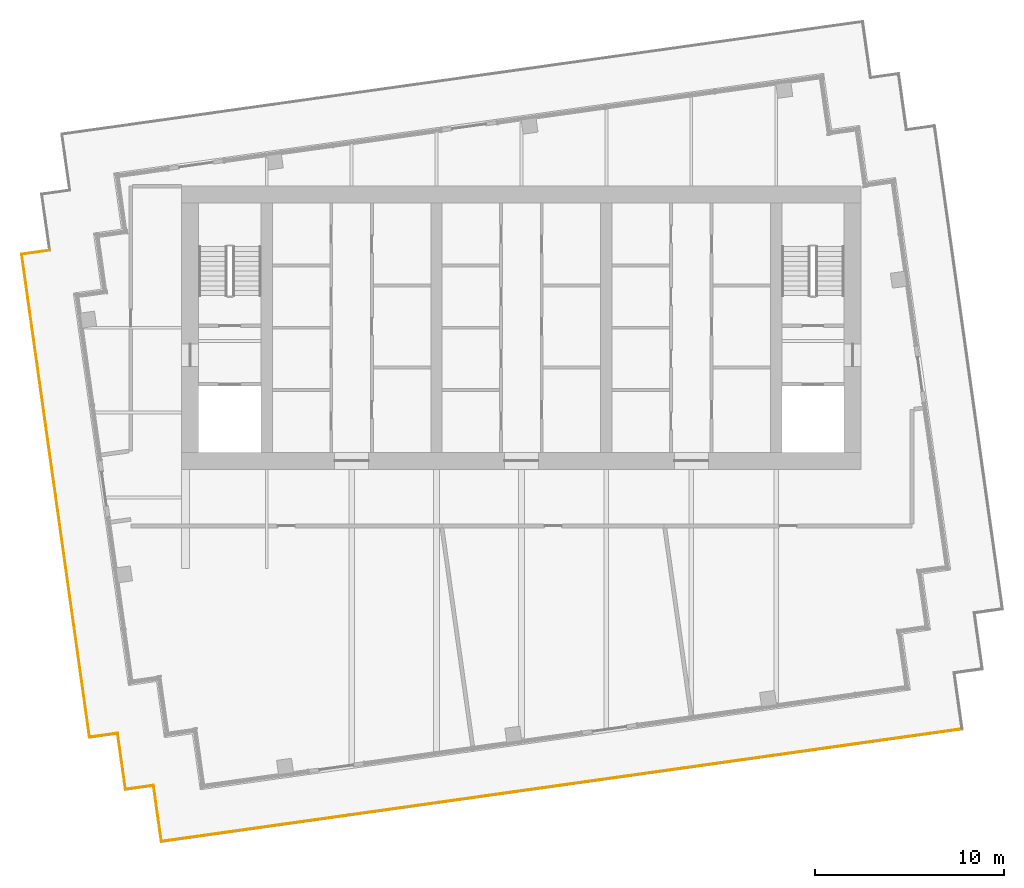
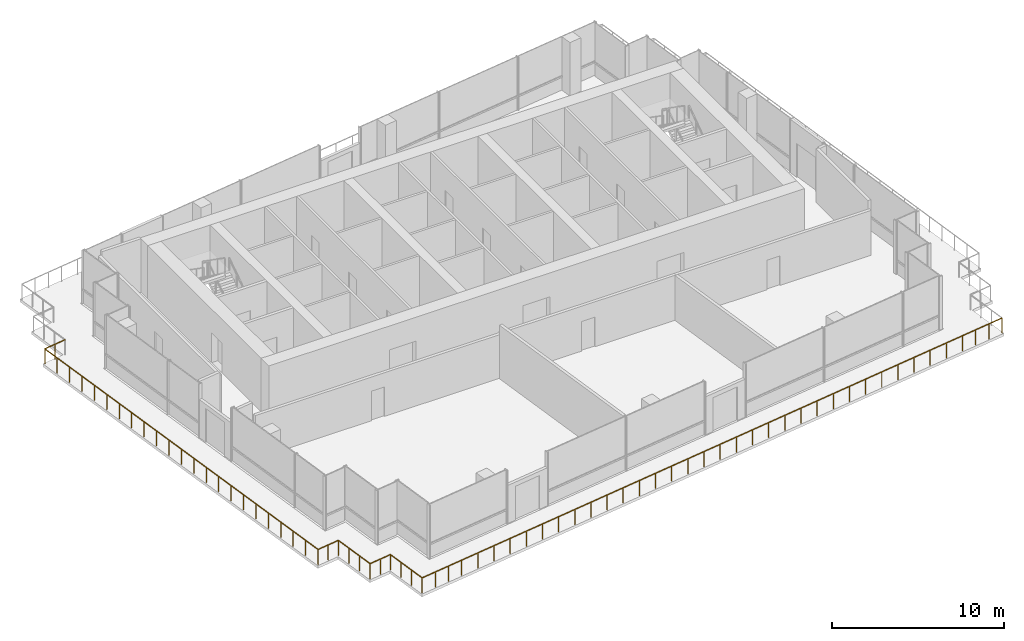
# One storey, part 9 of 12: 8 railings.
"""IFC4 building model written with IfcOpenShell, lengths in metres."""

from ifc_helpers import new_model, si_unit, direction, frame, origin, origin_2d, place, context, subcontext, project, spatial, rectangle, extrude, material, type_object, element, save


model = new_model("IFC4")

# Units and contexts
model_context = context("Model", 3, precision=1e-05, world=origin(), true_north=direction((0.0, 1.0)))
body_context = subcontext(model_context, "Body", "Model", "MODEL_VIEW")
ifc_project = project(units=[si_unit("LENGTHUNIT", "METRE"), si_unit("AREAUNIT", "SQUARE_METRE"), si_unit("VOLUMEUNIT", "CUBIC_METRE"), si_unit("PLANEANGLEUNIT", "RADIAN"), si_unit("MASSUNIT", "GRAM", prefix="KILO")], contexts=[model_context])

# Site, building, storey
site_placement = place(None, origin())
site = spatial("IfcSite", under=ifc_project, at=site_placement, CompositionType="ELEMENT")
building_placement = place(site_placement, origin())
building = spatial("IfcBuilding", under=site, at=building_placement, Name="Rattan Terrace Tower", CompositionType="ELEMENT")
storey_placement = place(building_placement, frame((0.0, 0.0, 292.300048828125)))
storey = spatial("IfcBuildingStorey", under=building, at=storey_placement, Name="C01", CompositionType="ELEMENT", Elevation=292.300048828125)

# Railings
ifc_material = material(Name="Stainless steel 316", Category="steel")
railing_type = type_object("IfcRailingType", Name="Facade Guard 1100", PredefinedType="GUARDRAIL", material=ifc_material)
railing_1_placement = place(storey_placement, frame((-16.18701171875, -26.81103515625, 0.0)))
element("IfcRailing", 1, at=railing_1_placement, inside=storey, type_object=railing_type, Name="Terrace guard C01-1-1", PredefinedType="GUARDRAIL", context=body_context, shape_type="SweptSolid", body=[
    extrude(rectangle(XDim=0.048095703125, YDim=0.048095703125, at=origin_2d()), frame((0.0, 0.0, 1.076171875), z_axis=(-0.990281250303, -0.139079277025, 0.0), x_axis=(0.139079277025, -0.990281250303, 0.0)), (0.0, 0.0, 1.0), 2.919189453125),
    extrude(rectangle(XDim=0.0419921875, YDim=0.0419921875, at=origin_2d()), origin(), (0.0, 0.0, 1.0), 1.052001953125),
    extrude(rectangle(XDim=0.0419921875, YDim=0.0419921875, at=origin_2d()), frame((-0.963623046875, -0.13525390625, 0.0)), (0.0, 0.0, 1.0), 1.052001953125),
    extrude(rectangle(XDim=0.0419921875, YDim=0.0419921875, at=origin_2d()), frame((-1.92724609375, -0.270751953125, 0.0)), (0.0, 0.0, 1.0), 1.052001953125),
])
railing_2_placement = place(storey_placement, frame((-19.077880859375, -27.217041015625, 0.0)))
element("IfcRailing", 2, at=railing_2_placement, inside=storey, type_object=railing_type, Name="Terrace guard C01-1-2", PredefinedType="GUARDRAIL", context=body_context, shape_type="SweptSolid", body=[
    extrude(rectangle(XDim=0.048095703125, YDim=0.048095703125, at=origin_2d()), frame((0.0, 0.0, 1.076171875), z_axis=(-0.139438168976, 0.990230779683, 0.0), x_axis=(-0.990230779683, -0.139438168976, 0.0)), (0.0, 0.0, 1.0), 2.999267578125),
    extrude(rectangle(XDim=0.0419921875, YDim=0.0419921875, at=origin_2d()), origin(), (0.0, 0.0, 1.0), 1.052001953125),
    extrude(rectangle(XDim=0.0419921875, YDim=0.0419921875, at=origin_2d()), frame((-0.139404296875, 0.989990234375, 0.0)), (0.0, 0.0, 1.0), 1.052001953125),
    extrude(rectangle(XDim=0.0419921875, YDim=0.0419921875, at=origin_2d()), frame((-0.27880859375, 1.97998046875, 0.0)), (0.0, 0.0, 1.0), 1.052001953125),
])
railing_3_placement = place(storey_placement, frame((-19.49609375, -24.2470703125, 0.0)))
element("IfcRailing", 3, at=railing_3_placement, inside=storey, type_object=railing_type, Name="Terrace guard C01-1-3", PredefinedType="GUARDRAIL", context=body_context, shape_type="SweptSolid", body=[
    extrude(rectangle(XDim=0.048095703125, YDim=0.048095703125, at=origin_2d()), frame((0.0, 0.0, 1.076171875), z_axis=(-0.990330117064, -0.138730887823, 0.0), x_axis=(0.138730887823, -0.990330117064, 0.0)), (0.0, 0.0, 1.0), 1.499267578125),
    extrude(rectangle(XDim=0.0419921875, YDim=0.0419921875, at=origin_2d()), origin(), (0.0, 0.0, 1.0), 1.052001953125),
    extrude(rectangle(XDim=0.0419921875, YDim=0.0419921875, at=origin_2d()), frame((-0.742431640625, -0.10400390625, 0.0)), (0.0, 0.0, 1.0), 1.052001953125),
])
railing_4_placement = place(storey_placement, frame((-20.98095703125, -24.455078125, 0.0)))
element("IfcRailing", 4, at=railing_4_placement, inside=storey, type_object=railing_type, Name="Terrace guard C01-1-4", PredefinedType="GUARDRAIL", context=body_context, shape_type="SweptSolid", body=[
    extrude(rectangle(XDim=0.048095703125, YDim=0.048095703125, at=origin_2d()), frame((0.0, 0.0, 1.076171875), z_axis=(-0.139302206688, 0.990249915532, 0.0), x_axis=(-0.990249915532, -0.139302206688, 0.0)), (0.0, 0.0, 1.0), 3.00048828125),
    extrude(rectangle(XDim=0.0419921875, YDim=0.0419921875, at=origin_2d()), origin(), (0.0, 0.0, 1.0), 1.052001953125),
    extrude(rectangle(XDim=0.0419921875, YDim=0.0419921875, at=origin_2d()), frame((-0.139404296875, 0.990478515625, 0.0)), (0.0, 0.0, 1.0), 1.052001953125),
    extrude(rectangle(XDim=0.0419921875, YDim=0.0419921875, at=origin_2d()), frame((-0.278564453125, 1.980712890625, 0.0)), (0.0, 0.0, 1.0), 1.052001953125),
])
railing_5_placement = place(storey_placement, frame((-21.39892578125, -21.48388671875, 0.0)))
element("IfcRailing", 5, at=railing_5_placement, inside=storey, type_object=railing_type, Name="Terrace guard C01-1-5", PredefinedType="GUARDRAIL", context=body_context, shape_type="SweptSolid", body=[
    extrude(rectangle(XDim=0.048095703125, YDim=0.048095703125, at=origin_2d()), frame((0.0, 0.0, 1.076171875), z_axis=(-0.990221121476, -0.139506740277, 0.0), x_axis=(0.139506740277, -0.990221121476, 0.0)), (0.0, 0.0, 1.0), 1.499755859375),
    extrude(rectangle(XDim=0.0419921875, YDim=0.0419921875, at=origin_2d()), origin(), (0.0, 0.0, 1.0), 1.052001953125),
    extrude(rectangle(XDim=0.0419921875, YDim=0.0419921875, at=origin_2d()), frame((-0.74267578125, -0.1044921875, 0.0)), (0.0, 0.0, 1.0), 1.052001953125),
])
railing_6_placement = place(storey_placement, frame((-22.884033203125, -21.693115234375, 0.0)))
element("IfcRailing", 6, at=railing_6_placement, inside=storey, type_object=railing_type, Name="Terrace guard C01-1-6", PredefinedType="GUARDRAIL", context=body_context, shape_type="SweptSolid", body=[
    extrude(rectangle(XDim=0.048095703125, YDim=0.048095703125, at=origin_2d()), frame((0.0, 0.0, 1.076171875), z_axis=(-0.139196202933, 0.990264821696, 0.0), x_axis=(-0.990264821696, -0.139196202933, 0.0)), (0.0, 0.0, 1.0), 25.840576171875),
    extrude(rectangle(XDim=0.0419921875, YDim=0.0419921875, at=origin_2d()), origin(), (0.0, 0.0, 1.0), 1.052001953125),
    extrude(rectangle(XDim=0.0419921875, YDim=0.0419921875, at=origin_2d()), frame((-0.16357421875, 1.1630859375, 0.0)), (0.0, 0.0, 1.0), 1.052001953125),
    extrude(rectangle(XDim=0.0419921875, YDim=0.0419921875, at=origin_2d()), frame((-0.326904296875, 2.326171875, 0.0)), (0.0, 0.0, 1.0), 1.052001953125),
    extrude(rectangle(XDim=0.0419921875, YDim=0.0419921875, at=origin_2d()), frame((-0.490478515625, 3.489501953125, 0.0)), (0.0, 0.0, 1.0), 1.052001953125),
    extrude(rectangle(XDim=0.0419921875, YDim=0.0419921875, at=origin_2d()), frame((-0.654052734375, 4.652587890625, 0.0)), (0.0, 0.0, 1.0), 1.052001953125),
    extrude(rectangle(XDim=0.0419921875, YDim=0.0419921875, at=origin_2d()), frame((-0.8173828125, 5.815673828125, 0.0)), (0.0, 0.0, 1.0), 1.052001953125),
    extrude(rectangle(XDim=0.0419921875, YDim=0.0419921875, at=origin_2d()), frame((-0.98095703125, 6.978759765625, 0.0)), (0.0, 0.0, 1.0), 1.052001953125),
    extrude(rectangle(XDim=0.0419921875, YDim=0.0419921875, at=origin_2d()), frame((-1.14453125, 8.14208984375, 0.0)), (0.0, 0.0, 1.0), 1.052001953125),
    extrude(rectangle(XDim=0.0419921875, YDim=0.0419921875, at=origin_2d()), frame((-1.307861328125, 9.30517578125, 0.0)), (0.0, 0.0, 1.0), 1.052001953125),
    extrude(rectangle(XDim=0.0419921875, YDim=0.0419921875, at=origin_2d()), frame((-1.471435546875, 10.46826171875, 0.0)), (0.0, 0.0, 1.0), 1.052001953125),
    extrude(rectangle(XDim=0.0419921875, YDim=0.0419921875, at=origin_2d()), frame((-1.635009765625, 11.63134765625, 0.0)), (0.0, 0.0, 1.0), 1.052001953125),
    extrude(rectangle(XDim=0.0419921875, YDim=0.0419921875, at=origin_2d()), frame((-1.79833984375, 12.79443359375, 0.0)), (0.0, 0.0, 1.0), 1.052001953125),
    extrude(rectangle(XDim=0.0419921875, YDim=0.0419921875, at=origin_2d()), frame((-1.9619140625, 13.957763671875, 0.0)), (0.0, 0.0, 1.0), 1.052001953125),
    extrude(rectangle(XDim=0.0419921875, YDim=0.0419921875, at=origin_2d()), frame((-2.12548828125, 15.120849609375, 0.0)), (0.0, 0.0, 1.0), 1.052001953125),
    extrude(rectangle(XDim=0.0419921875, YDim=0.0419921875, at=origin_2d()), frame((-2.2890625, 16.283935546875, 0.0)), (0.0, 0.0, 1.0), 1.052001953125),
    extrude(rectangle(XDim=0.0419921875, YDim=0.0419921875, at=origin_2d()), frame((-2.452392578125, 17.447021484375, 0.0)), (0.0, 0.0, 1.0), 1.052001953125),
    extrude(rectangle(XDim=0.0419921875, YDim=0.0419921875, at=origin_2d()), frame((-2.615966796875, 18.6103515625, 0.0)), (0.0, 0.0, 1.0), 1.052001953125),
    extrude(rectangle(XDim=0.0419921875, YDim=0.0419921875, at=origin_2d()), frame((-2.779541015625, 19.7734375, 0.0)), (0.0, 0.0, 1.0), 1.052001953125),
    extrude(rectangle(XDim=0.0419921875, YDim=0.0419921875, at=origin_2d()), frame((-2.94287109375, 20.9365234375, 0.0)), (0.0, 0.0, 1.0), 1.052001953125),
    extrude(rectangle(XDim=0.0419921875, YDim=0.0419921875, at=origin_2d()), frame((-3.1064453125, 22.099609375, 0.0)), (0.0, 0.0, 1.0), 1.052001953125),
    extrude(rectangle(XDim=0.0419921875, YDim=0.0419921875, at=origin_2d()), frame((-3.27001953125, 23.262939453125, 0.0)), (0.0, 0.0, 1.0), 1.052001953125),
    extrude(rectangle(XDim=0.0419921875, YDim=0.0419921875, at=origin_2d()), frame((-3.433349609375, 24.426025390625, 0.0)), (0.0, 0.0, 1.0), 1.052001953125),
])
railing_7_placement = place(storey_placement, frame((-26.48095703125, 3.89599609375, 0.0)))
element("IfcRailing", 7, at=railing_7_placement, inside=storey, type_object=railing_type, Name="Terrace guard C01-1-7", PredefinedType="GUARDRAIL", context=body_context, shape_type="SweptSolid", body=[
    extrude(rectangle(XDim=0.048095703125, YDim=0.048095703125, at=origin_2d()), frame((0.0, 0.0, 1.076171875), z_axis=(0.990253072683, 0.139279761784, 0.0), x_axis=(-0.139279761784, 0.990253072683, 0.0)), (0.0, 0.0, 1.0), 1.50048828125),
    extrude(rectangle(XDim=0.0419921875, YDim=0.0419921875, at=origin_2d()), origin(), (0.0, 0.0, 1.0), 1.052001953125),
    extrude(rectangle(XDim=0.0419921875, YDim=0.0419921875, at=origin_2d()), frame((0.742919921875, 0.1044921875, 0.0)), (0.0, 0.0, 1.0), 1.052001953125),
])
railing_8_placement = place(storey_placement, frame((23.344970703125, -21.2548828125, 0.0)))
element("IfcRailing", 8, at=railing_8_placement, inside=storey, type_object=railing_type, Name="Terrace guard C01-1-21", PredefinedType="GUARDRAIL", context=body_context, shape_type="SweptSolid", body=[
    extrude(rectangle(XDim=0.048095703125, YDim=0.048095703125, at=origin_2d()), frame((0.0, 0.0, 1.076171875), z_axis=(-0.990289333727, -0.139021708761, 0.0), x_axis=(0.139021708761, -0.990289333727, 0.0)), (0.0, 0.0, 1.0), 2.92041015625),
    extrude(rectangle(XDim=0.048095703125, YDim=0.048095703125, at=origin_2d()), frame((-2.89208984375, -0.406005859375, 1.076171875), z_axis=(-0.99026529207, -0.139192856575, 0.0), x_axis=(0.139192856575, -0.99026529207, 0.0)), (0.0, 0.0, 1.0), 37.0),
    extrude(rectangle(XDim=0.0419921875, YDim=0.0419921875, at=origin_2d()), origin(), (0.0, 0.0, 1.0), 1.052001953125),
    extrude(rectangle(XDim=0.0419921875, YDim=0.0419921875, at=origin_2d()), frame((-0.964111328125, -0.13525390625, 0.0)), (0.0, 0.0, 1.0), 1.052001953125),
    extrude(rectangle(XDim=0.0419921875, YDim=0.0419921875, at=origin_2d()), frame((-1.927978515625, -0.270751953125, 0.0)), (0.0, 0.0, 1.0), 1.052001953125),
    extrude(rectangle(XDim=0.0419921875, YDim=0.0419921875, at=origin_2d()), frame((-2.89208984375, -0.406005859375, 0.0)), (0.0, 0.0, 1.0), 1.052001953125),
    extrude(rectangle(XDim=0.0419921875, YDim=0.0419921875, at=origin_2d()), frame((-4.073974609375, -0.572021484375, 0.0)), (0.0, 0.0, 1.0), 1.052001953125),
    extrude(rectangle(XDim=0.0419921875, YDim=0.0419921875, at=origin_2d()), frame((-5.255859375, -0.73828125, 0.0)), (0.0, 0.0, 1.0), 1.052001953125),
    extrude(rectangle(XDim=0.0419921875, YDim=0.0419921875, at=origin_2d()), frame((-6.43798828125, -0.904296875, 0.0)), (0.0, 0.0, 1.0), 1.052001953125),
    extrude(rectangle(XDim=0.0419921875, YDim=0.0419921875, at=origin_2d()), frame((-7.619873046875, -1.070556640625, 0.0)), (0.0, 0.0, 1.0), 1.052001953125),
    extrude(rectangle(XDim=0.0419921875, YDim=0.0419921875, at=origin_2d()), frame((-8.8017578125, -1.236572265625, 0.0)), (0.0, 0.0, 1.0), 1.052001953125),
    extrude(rectangle(XDim=0.0419921875, YDim=0.0419921875, at=origin_2d()), frame((-9.983642578125, -1.40283203125, 0.0)), (0.0, 0.0, 1.0), 1.052001953125),
    extrude(rectangle(XDim=0.0419921875, YDim=0.0419921875, at=origin_2d()), frame((-11.16552734375, -1.56884765625, 0.0)), (0.0, 0.0, 1.0), 1.052001953125),
    extrude(rectangle(XDim=0.0419921875, YDim=0.0419921875, at=origin_2d()), frame((-12.34765625, -1.735107421875, 0.0)), (0.0, 0.0, 1.0), 1.052001953125),
    extrude(rectangle(XDim=0.0419921875, YDim=0.0419921875, at=origin_2d()), frame((-13.529541015625, -1.901123046875, 0.0)), (0.0, 0.0, 1.0), 1.052001953125),
    extrude(rectangle(XDim=0.0419921875, YDim=0.0419921875, at=origin_2d()), frame((-14.71142578125, -2.0673828125, 0.0)), (0.0, 0.0, 1.0), 1.052001953125),
    extrude(rectangle(XDim=0.0419921875, YDim=0.0419921875, at=origin_2d()), frame((-15.893310546875, -2.2333984375, 0.0)), (0.0, 0.0, 1.0), 1.052001953125),
    extrude(rectangle(XDim=0.0419921875, YDim=0.0419921875, at=origin_2d()), frame((-17.0751953125, -2.399658203125, 0.0)), (0.0, 0.0, 1.0), 1.052001953125),
    extrude(rectangle(XDim=0.0419921875, YDim=0.0419921875, at=origin_2d()), frame((-18.25732421875, -2.565673828125, 0.0)), (0.0, 0.0, 1.0), 1.052001953125),
    extrude(rectangle(XDim=0.0419921875, YDim=0.0419921875, at=origin_2d()), frame((-19.439208984375, -2.73193359375, 0.0)), (0.0, 0.0, 1.0), 1.052001953125),
    extrude(rectangle(XDim=0.0419921875, YDim=0.0419921875, at=origin_2d()), frame((-20.62109375, -2.89794921875, 0.0)), (0.0, 0.0, 1.0), 1.052001953125),
    extrude(rectangle(XDim=0.0419921875, YDim=0.0419921875, at=origin_2d()), frame((-21.802978515625, -3.064208984375, 0.0)), (0.0, 0.0, 1.0), 1.052001953125),
    extrude(rectangle(XDim=0.0419921875, YDim=0.0419921875, at=origin_2d()), frame((-22.98486328125, -3.230224609375, 0.0)), (0.0, 0.0, 1.0), 1.052001953125),
    extrude(rectangle(XDim=0.0419921875, YDim=0.0419921875, at=origin_2d()), frame((-24.166748046875, -3.396484375, 0.0)), (0.0, 0.0, 1.0), 1.052001953125),
    extrude(rectangle(XDim=0.0419921875, YDim=0.0419921875, at=origin_2d()), frame((-25.348876953125, -3.5625, 0.0)), (0.0, 0.0, 1.0), 1.052001953125),
    extrude(rectangle(XDim=0.0419921875, YDim=0.0419921875, at=origin_2d()), frame((-26.53076171875, -3.728759765625, 0.0)), (0.0, 0.0, 1.0), 1.052001953125),
    extrude(rectangle(XDim=0.0419921875, YDim=0.0419921875, at=origin_2d()), frame((-27.712646484375, -3.894775390625, 0.0)), (0.0, 0.0, 1.0), 1.052001953125),
    extrude(rectangle(XDim=0.0419921875, YDim=0.0419921875, at=origin_2d()), frame((-28.89453125, -4.06103515625, 0.0)), (0.0, 0.0, 1.0), 1.052001953125),
    extrude(rectangle(XDim=0.0419921875, YDim=0.0419921875, at=origin_2d()), frame((-30.076416015625, -4.22705078125, 0.0)), (0.0, 0.0, 1.0), 1.052001953125),
    extrude(rectangle(XDim=0.0419921875, YDim=0.0419921875, at=origin_2d()), frame((-31.258544921875, -4.393310546875, 0.0)), (0.0, 0.0, 1.0), 1.052001953125),
    extrude(rectangle(XDim=0.0419921875, YDim=0.0419921875, at=origin_2d()), frame((-32.4404296875, -4.559326171875, 0.0)), (0.0, 0.0, 1.0), 1.052001953125),
    extrude(rectangle(XDim=0.0419921875, YDim=0.0419921875, at=origin_2d()), frame((-33.622314453125, -4.7255859375, 0.0)), (0.0, 0.0, 1.0), 1.052001953125),
    extrude(rectangle(XDim=0.0419921875, YDim=0.0419921875, at=origin_2d()), frame((-34.80419921875, -4.8916015625, 0.0)), (0.0, 0.0, 1.0), 1.052001953125),
    extrude(rectangle(XDim=0.0419921875, YDim=0.0419921875, at=origin_2d()), frame((-35.986083984375, -5.057861328125, 0.0)), (0.0, 0.0, 1.0), 1.052001953125),
    extrude(rectangle(XDim=0.0419921875, YDim=0.0419921875, at=origin_2d()), frame((-37.168212890625, -5.223876953125, 0.0)), (0.0, 0.0, 1.0), 1.052001953125),
    extrude(rectangle(XDim=0.0419921875, YDim=0.0419921875, at=origin_2d()), frame((-38.35009765625, -5.39013671875, 0.0)), (0.0, 0.0, 1.0), 1.052001953125),
])

save(model, "model.ifc")
